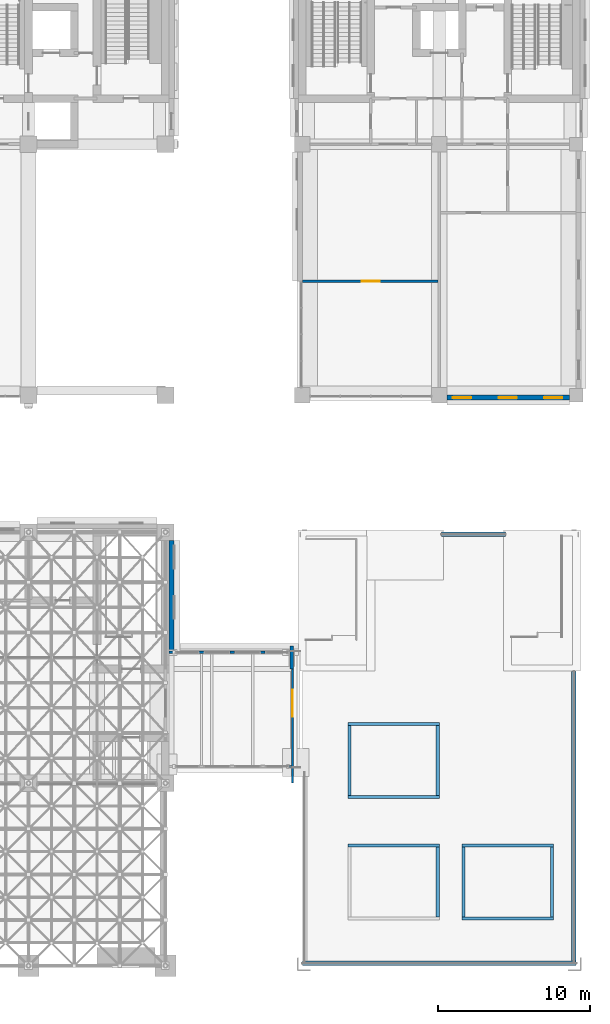
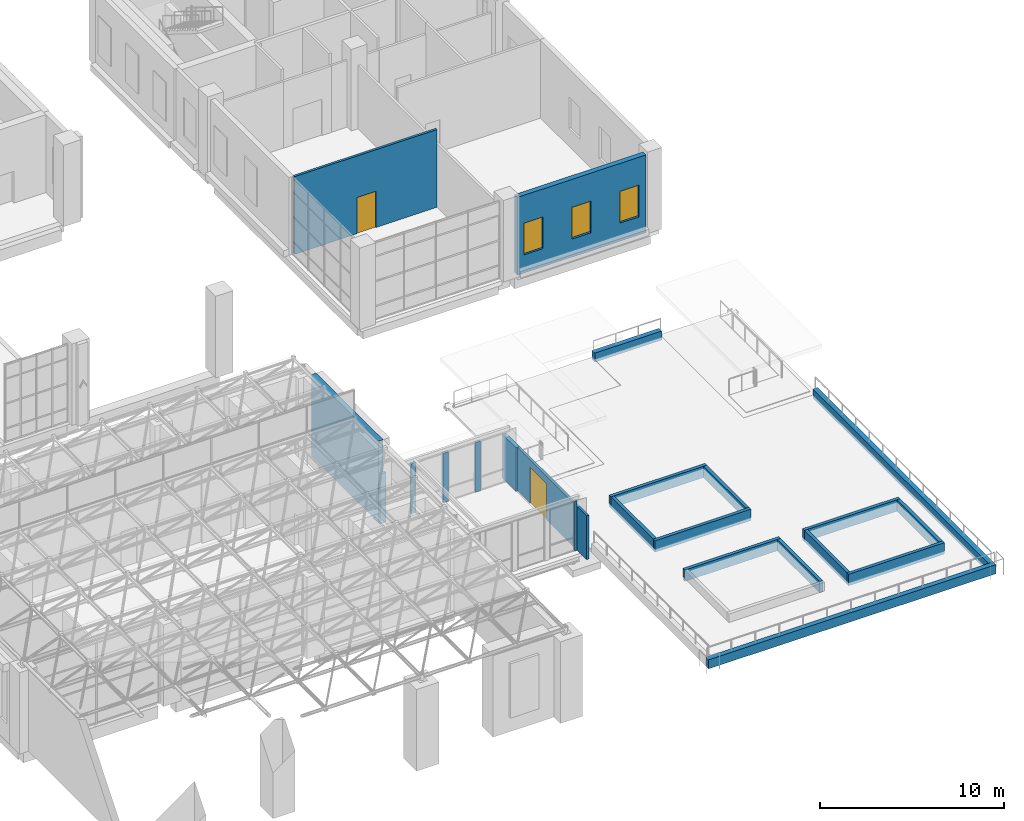
# One storey, part 33 of 53: 23 walls, 3 windows, 2 doors, 5 openings.
"""IFC4 building model written with IfcOpenShell, lengths in metres."""

from ifc_helpers import new_model, si_unit, direction, frame, frame_2d, origin, place, context, subcontext, project, spatial, rectangle, extrude, material, layer, layer_set, type_object, element, fill, save


model = new_model("IFC4")

# Units and contexts
model_context = context("Model", 3, precision=1e-05, world=origin(), true_north=direction((0.0, 1.0)))
body_context = subcontext(model_context, "Body", "Model", "MODEL_VIEW")
ifc_project = project(units=[si_unit("LENGTHUNIT", "METRE"), si_unit("AREAUNIT", "SQUARE_METRE"), si_unit("VOLUMEUNIT", "CUBIC_METRE"), si_unit("PLANEANGLEUNIT", "RADIAN"), si_unit("MASSUNIT", "GRAM", prefix="KILO")], contexts=[model_context])

# Site, building, storey
site_placement = place(None, origin())
site = spatial("IfcSite", under=ifc_project, at=site_placement, CompositionType="ELEMENT")
building_placement = place(site_placement, origin())
building = spatial("IfcBuilding", under=site, at=building_placement, Name="Aurelan Courthouse", CompositionType="ELEMENT")
storey_placement = place(building_placement, frame((0.0, 0.0, 12.0)))
storey = spatial("IfcBuildingStorey", under=building, at=storey_placement, Name="L02", CompositionType="ELEMENT", Elevation=12.0)

# Wall
ifc_material_1 = material(Name="Limestone cladding", Category="masonry")
ifc_layer_1 = layer(ifc_material_1, 0.0849609375, Name="Facing")
ifc_material_2 = material(Name="Ventilated cavity")
ifc_layer_2 = layer(ifc_material_2, 0.02490234375, ventilated=True, Name="Ventilated cavity")
ifc_material_3 = material(Name="Mineral wool insulation")
ifc_layer_3 = layer(ifc_material_3, 0.044921875, Name="Insulation")
ifc_material_4 = material(Name="Concrete C30", Category="concrete")
ifc_layer_4 = layer(ifc_material_4, 0.14501953125, Name="Structure")
ifc_layer_set_1 = layer_set([ifc_layer_1, ifc_layer_2, ifc_layer_3, ifc_layer_4], Name="Concrete C30")
wall_type_1 = type_object("IfcWallType", Name="Ceremonial Court stone-faced wall 300", PredefinedType="SOLIDWALL", material=ifc_layer_set_1)
wall_1_placement = place(storey_placement, frame((63.39990234375, 20.675048828125, 0.0), z_axis=(0.0, 0.0, 1.0), x_axis=(0.0, 1.0, 0.0)))
element("IfcWall", 1, at=wall_1_placement, inside=storey, type_object=wall_type_1, Name="Facade wall FW-V1-L02-004", PredefinedType="SOLIDWALL", context=body_context, shape_type="SweptSolid", body=[
    extrude(rectangle(XDim=7.27490234375, YDim=0.300048828125, at=frame_2d((3.637451171875, 0.0))), origin(), (0.0, 0.0, 1.0), 5.39990234375),
])

# Wall, opening, door
ifc_material_5 = material(Name="Gypsum board on metal studs")
ifc_layer_5 = layer(ifc_material_5, 0.14990234375)
ifc_layer_set_2 = layer_set([ifc_layer_5], Name="Gypsum board on metal studs")
wall_type_2 = type_object("IfcWallType", Name="Corridor partition 150 EI 60", PredefinedType="PARTITIONING", material=ifc_layer_set_2)
wall_2_placement = place(storey_placement, frame((71.35498046875, 12.0, 0.0), z_axis=(0.0, 0.0, 1.0), x_axis=(0.0, 1.0, 0.0)))
wall_2 = element("IfcWall", 2, at=wall_2_placement, inside=storey, type_object=wall_type_2, Name="Corridor partition L02-076", PredefinedType="PARTITIONING", context=body_context, shape_type="SweptSolid", body=[
    extrude(rectangle(XDim=7.5, YDim=0.14990234375, at=frame_2d((3.75, 0.0))), origin(), (0.0, 0.0, 1.0), 2.902099609375),
])
opening_1_placement = place(wall_2_placement, frame((6.150146484375, 0.0, 0.0), z_axis=(0.0, 0.0, 1.0), x_axis=(-1.0, 0.0, 0.0)))
opening_1 = element("IfcOpeningElement", 3, at=opening_1_placement, cuts=wall_2, Name="Opening D-L02-094", PredefinedType="OPENING", context=body_context, shape_type="SweptSolid", body=[
    extrude(rectangle(XDim=1.800048828125, YDim=2.39990234375, at=frame_2d((0.89990234375, 1.199951171875))), frame((0.0, 0.0849609375, 0.0), z_axis=(0.0, -1.0, 0.0), x_axis=(1.0, 0.0, 0.0)), (0.0, 0.0, 1.0), 0.169921875),
])
ifc_material_6 = material(Name="Steel", Category="steel")
door_type_1 = type_object("IfcDoorType", Name="Double door 1800 x 2400 FD60", OperationType="DOUBLE_DOOR_SINGLE_SWING", PredefinedType="DOOR", material=ifc_material_6)
door_1_placement = place(opening_1_placement, origin())
door_1 = element("IfcDoor", 4, at=door_1_placement, inside=storey, type_object=door_type_1, Name="Double door D-L02-094", OperationType="DOUBLE_DOOR_SINGLE_SWING", OverallHeight=2.39990234375, OverallWidth=1.800048828125, PredefinedType="DOOR", context=body_context, shape_type="SweptSolid", body=[
    extrude(rectangle(XDim=1.800048828125, YDim=2.39990234375, at=frame_2d((0.89990234375, 1.199951171875))), frame((0.0, 0.02490234375, 0.0), z_axis=(0.0, -1.0, 0.0), x_axis=(1.0, 0.0, 0.0)), (0.0, 0.0, 1.0), 0.050048828125),
])
fill(opening_1, door_1)

# Walls
ifc_layer_6 = layer(ifc_material_1, 0.300048828125)
ifc_layer_set_3 = layer_set([ifc_layer_6], Name="Limestone cladding")
wall_type_3 = type_object("IfcWallType", Name="Garden upstand 300 x 600", PredefinedType="PARAPET", material=ifc_layer_set_3)
wall_3_placement = place(storey_placement, frame((72.0, 0.14990234375, -0.197998046875), z_axis=(0.0, 0.0, 1.0), x_axis=(1.0, 0.0, 0.0)))
element("IfcWall", 5, at=wall_3_placement, inside=storey, type_object=wall_type_3, Name="Garden upstand RG-PA01", PredefinedType="PARAPET", context=body_context, shape_type="SweptSolid", body=[
    extrude(rectangle(XDim=18.0, YDim=0.300048828125, at=frame_2d((9.0, 0.0))), origin(), (0.0, 0.0, 1.0), 0.60009765625),
])
wall_4_placement = place(storey_placement, frame((81.14990234375, 28.35009765625, -0.197998046875), z_axis=(0.0, 0.0, 1.0), x_axis=(1.0, 0.0, 0.0)))
element("IfcWall", 6, at=wall_4_placement, inside=storey, type_object=wall_type_3, Name="Garden upstand RG-PA02", PredefinedType="PARAPET", context=body_context, shape_type="SweptSolid", body=[
    extrude(rectangle(XDim=4.2001953125, YDim=0.300048828125, at=frame_2d((2.10009765625, 0.0))), origin(), (0.0, 0.0, 1.0), 0.60009765625),
])
wall_5_placement = place(storey_placement, frame((89.85009765625, 0.300048828125, -0.197998046875), z_axis=(0.0, 0.0, 1.0), x_axis=(0.0, 1.0, 0.0)))
element("IfcWall", 7, at=wall_5_placement, inside=storey, type_object=wall_type_3, Name="Garden upstand RG-PA04", PredefinedType="PARAPET", context=body_context, shape_type="SweptSolid", body=[
    extrude(rectangle(XDim=19.050048828125, YDim=0.300048828125, at=frame_2d((9.52490234375, 0.0))), origin(), (0.0, 0.0, 1.0), 0.60009765625),
])

# Wall, openings, windows
ifc_layer_7 = layer(ifc_material_1, 0.090087890625, Name="Facing")
ifc_layer_8 = layer(ifc_material_2, 0.02490234375, ventilated=True, Name="Ventilated cavity")
ifc_layer_9 = layer(ifc_material_3, 0.044921875, Name="Insulation")
ifc_layer_10 = layer(ifc_material_4, 0.159912109375, Name="Structure")
ifc_layer_set_4 = layer_set([ifc_layer_7, ifc_layer_8, ifc_layer_9, ifc_layer_10], Name="Concrete C30")
wall_type_4 = type_object("IfcWallType", Name="Law Library stone-faced wall 320", PredefinedType="SOLIDWALL", material=ifc_layer_set_4)
wall_6_placement = place(storey_placement, frame((81.5, 37.340087890625, 0.0), z_axis=(0.0, 0.0, 1.0), x_axis=(1.0, 0.0, 0.0)))
wall_6 = element("IfcWall", 8, at=wall_6_placement, inside=storey, type_object=wall_type_4, Name="Facade wall FW-V3-L02-001", PredefinedType="SOLIDWALL", context=body_context, shape_type="SweptSolid", body=[
    extrude(rectangle(XDim=8.050048828125, YDim=0.320068359375, at=frame_2d((4.02490234375, 0.0))), origin(), (0.0, 0.0, 1.0), 5.14990234375),
])
opening_2_placement = place(wall_6_placement, frame((0.39990234375, 0.0, 1.199951171875)))
opening_2 = element("IfcOpeningElement", 9, at=opening_2_placement, cuts=wall_6, Name="Opening WN-V3-L02-001", PredefinedType="OPENING", context=body_context, shape_type="SweptSolid", body=[
    extrude(rectangle(XDim=1.199951171875, YDim=2.10009765625, at=frame_2d((0.60009765625, 1.050048828125))), frame((0.0, 0.169921875, 0.0), z_axis=(0.0, -1.0, 0.0), x_axis=(1.0, 0.0, 0.0)), (0.0, 0.0, 1.0), 0.340087890625),
])
opening_3_placement = place(wall_6_placement, frame((3.39990234375, 0.0, 1.199951171875)))
opening_3 = element("IfcOpeningElement", 10, at=opening_3_placement, cuts=wall_6, Name="Opening WN-V3-L02-002", PredefinedType="OPENING", context=body_context, shape_type="SweptSolid", body=[
    extrude(rectangle(XDim=1.199951171875, YDim=2.10009765625, at=frame_2d((0.60009765625, 1.050048828125))), frame((0.0, 0.169921875, 0.0), z_axis=(0.0, -1.0, 0.0), x_axis=(1.0, 0.0, 0.0)), (0.0, 0.0, 1.0), 0.340087890625),
])
opening_4_placement = place(wall_6_placement, frame((6.39990234375, 0.0, 1.199951171875)))
opening_4 = element("IfcOpeningElement", 11, at=opening_4_placement, cuts=wall_6, Name="Opening WN-V3-L02-003", PredefinedType="OPENING", context=body_context, shape_type="SweptSolid", body=[
    extrude(rectangle(XDim=1.199951171875, YDim=2.10009765625, at=frame_2d((0.60009765625, 1.050048828125))), frame((0.0, 0.169921875, 0.0), z_axis=(0.0, -1.0, 0.0), x_axis=(1.0, 0.0, 0.0)), (0.0, 0.0, 1.0), 0.340087890625),
])
ifc_material_7 = material(Name="Bronze-finished aluminium and glass", Category="aluminium")
window_type = type_object("IfcWindowType", Name="Law Library window 1200 x 2100, sill 1200", PartitioningType="SINGLE_PANEL", PredefinedType="WINDOW", material=ifc_material_7)
window_1_placement = place(opening_2_placement, origin())
window_1 = element("IfcWindow", 12, at=window_1_placement, inside=storey, type_object=window_type, Name="Window WN-V3-L02-001", OverallHeight=2.10009765625, OverallWidth=1.199951171875, PartitioningType="SINGLE_PANEL", PredefinedType="WINDOW", context=body_context, shape_type="SweptSolid", body=[
    extrude(rectangle(XDim=1.199951171875, YDim=2.10009765625, at=frame_2d((0.60009765625, 1.050048828125))), frame((0.0, 0.030029296875, 0.0), z_axis=(0.0, -1.0, 0.0), x_axis=(1.0, 0.0, 0.0)), (0.0, 0.0, 1.0), 0.06005859375),
])
fill(opening_2, window_1)
window_2_placement = place(opening_3_placement, origin())
window_2 = element("IfcWindow", 13, at=window_2_placement, inside=storey, type_object=window_type, Name="Window WN-V3-L02-002", OverallHeight=2.10009765625, OverallWidth=1.199951171875, PartitioningType="SINGLE_PANEL", PredefinedType="WINDOW", context=body_context, shape_type="SweptSolid", body=[
    extrude(rectangle(XDim=1.199951171875, YDim=2.10009765625, at=frame_2d((0.60009765625, 1.050048828125))), frame((0.0, 0.030029296875, 0.0), z_axis=(0.0, -1.0, 0.0), x_axis=(1.0, 0.0, 0.0)), (0.0, 0.0, 1.0), 0.06005859375),
])
fill(opening_3, window_2)
window_3_placement = place(opening_4_placement, origin())
window_3 = element("IfcWindow", 14, at=window_3_placement, inside=storey, type_object=window_type, Name="Window WN-V3-L02-003", OverallHeight=2.10009765625, OverallWidth=1.199951171875, PartitioningType="SINGLE_PANEL", PredefinedType="WINDOW", context=body_context, shape_type="SweptSolid", body=[
    extrude(rectangle(XDim=1.199951171875, YDim=2.10009765625, at=frame_2d((0.60009765625, 1.050048828125))), frame((0.0, 0.030029296875, 0.0), z_axis=(0.0, -1.0, 0.0), x_axis=(1.0, 0.0, 0.0)), (0.0, 0.0, 1.0), 0.06005859375),
])
fill(opening_4, window_3)

# Wall, opening, door
ifc_layer_11 = layer(ifc_material_5, 0.14990234375)
ifc_layer_set_5 = layer_set([ifc_layer_11], Name="Gypsum board on metal studs")
wall_type_5 = type_object("IfcWallType", Name="Partition 150 NOT RATED", PredefinedType="PARTITIONING", material=ifc_layer_set_5)
wall_7_placement = place(storey_placement, frame((72.0, 45.0, 0.0), z_axis=(0.0, 0.0, 1.0), x_axis=(1.0, 0.0, 0.0)))
wall_7 = element("IfcWall", 15, at=wall_7_placement, inside=storey, type_object=wall_type_5, Name="Partition L02-022", PredefinedType="PARTITIONING", context=body_context, shape_type="SweptSolid", body=[
    extrude(rectangle(XDim=8.925048828125, YDim=0.14990234375, at=frame_2d((4.46240234375, 0.0))), origin(), (0.0, 0.0, 1.0), 5.14990234375),
])
opening_5_placement = place(wall_7_placement, frame((3.89990234375, 0.0, 0.0)))
opening_5 = element("IfcOpeningElement", 16, at=opening_5_placement, cuts=wall_7, Name="Opening D-L02-043", PredefinedType="OPENING", context=body_context, shape_type="SweptSolid", body=[
    extrude(rectangle(XDim=1.199951171875, YDim=2.39990234375, at=frame_2d((0.60009765625, 1.199951171875))), frame((0.0, 0.0849609375, 0.0), z_axis=(0.0, -1.0, 0.0), x_axis=(1.0, 0.0, 0.0)), (0.0, 0.0, 1.0), 0.169921875),
])
ifc_material_8 = material(Name="Timber", Category="wood")
door_type_2 = type_object("IfcDoorType", Name="Single door 1200 x 2400 NOT RATED", OperationType="SINGLE_SWING_LEFT", PredefinedType="DOOR", material=ifc_material_8)
door_2_placement = place(opening_5_placement, origin())
door_2 = element("IfcDoor", 17, at=door_2_placement, inside=storey, type_object=door_type_2, Name="Single door D-L02-043", OperationType="SINGLE_SWING_RIGHT", OverallHeight=2.39990234375, OverallWidth=1.199951171875, PredefinedType="DOOR", context=body_context, shape_type="SweptSolid", body=[
    extrude(rectangle(XDim=1.199951171875, YDim=2.39990234375, at=frame_2d((0.60009765625, 1.199951171875))), frame((0.0, 0.02490234375, 0.0), z_axis=(0.0, -1.0, 0.0), x_axis=(1.0, 0.0, 0.0)), (0.0, 0.0, 1.0), 0.050048828125),
])
fill(opening_5, door_2)

# Walls
ifc_material_9 = material(Name="Concrete C40", Category="concrete")
ifc_layer_12 = layer(ifc_material_9, 0.14990234375)
ifc_layer_set_6 = layer_set([ifc_layer_12], Name="Concrete C40")
wall_type_6 = type_object("IfcWallType", Name="Passage end pier 150 x 150 x 3300", PredefinedType="SOLIDWALL", material=ifc_layer_set_6)
wall_8_placement = place(storey_placement, frame((71.1298828125, 13.10009765625, 0.0), z_axis=(0.0, 0.0, 1.0), x_axis=(1.0, 0.0, 0.0)))
element("IfcWall", 18, at=wall_8_placement, inside=storey, type_object=wall_type_6, Name="Passage pier BR2-P05", PredefinedType="SOLIDWALL", context=body_context, shape_type="SweptSolid", body=[
    extrude(rectangle(XDim=0.150146484375, YDim=0.14990234375, at=frame_2d((0.0751953125, 0.0))), origin(), (0.0, 0.0, 1.0), 3.300048828125),
])
ifc_layer_13 = layer(ifc_material_9, 0.14990234375)
ifc_layer_set_7 = layer_set([ifc_layer_13], Name="Concrete C40")
wall_type_7 = type_object("IfcWallType", Name="Passage end pier 150 x 400 x 3300", PredefinedType="SOLIDWALL", material=ifc_layer_set_7)
wall_9_placement = place(storey_placement, frame((63.25, 20.60009765625, 0.0), z_axis=(0.0, 0.0, 1.0), x_axis=(1.0, 0.0, 0.0)))
element("IfcWall", 19, at=wall_9_placement, inside=storey, type_object=wall_type_7, Name="Passage pier BR2-P06", PredefinedType="SOLIDWALL", context=body_context, shape_type="SweptSolid", body=[
    extrude(rectangle(XDim=0.39990234375, YDim=0.14990234375, at=frame_2d((0.199951171875, 0.0))), origin(), (0.0, 0.0, 1.0), 3.300048828125),
])
ifc_layer_14 = layer(ifc_material_9, 0.14990234375)
ifc_layer_set_8 = layer_set([ifc_layer_14], Name="Concrete C40")
wall_type_8 = type_object("IfcWallType", Name="Passage pier 150 x 300 x 3300", PredefinedType="SOLIDWALL", material=ifc_layer_set_8)
for number, where, z_axis, x_axis, name in (
    (20, (65.219970703125, 20.60009765625, 0.0), (0.0, 0.0, 1.0), (1.0, 0.0, 0.0), "Passage pier BR2-P07"),
    (21, (67.239990234375, 20.60009765625, 0.0), (0.0, 0.0, 1.0), (1.0, 0.0, 0.0), "Passage pier BR2-P08"),
    (22, (69.260009765625, 20.60009765625, 0.0), (0.0, 0.0, 1.0), (1.0, 0.0, 0.0), "Passage pier BR2-P09"),
):
    element("IfcWall", number, at=place(storey_placement, frame(where, z_axis=z_axis, x_axis=x_axis)), inside=storey, type_object=wall_type_8, Name=name, PredefinedType="SOLIDWALL", context=body_context, shape_type="SweptSolid", body=[
        extrude(rectangle(XDim=0.300048828125, YDim=0.14990234375, at=frame_2d((0.14990234375, 0.0))), origin(), (0.0, 0.0, 1.0), 3.300048828125),
    ])
ifc_layer_15 = layer(ifc_material_1, 0.199951171875)
ifc_layer_set_9 = layer_set([ifc_layer_15], Name="Limestone cladding")
wall_type_9 = type_object("IfcWallType", Name="Planter wall 200 x 600", PredefinedType="SOLIDWALL", material=ifc_layer_set_9)
wall_10_placement = place(storey_placement, frame((75.0, 7.89990234375, -0.197998046875), z_axis=(0.0, 0.0, 1.0), x_axis=(1.0, 0.0, 0.0)))
element("IfcWall", 23, at=wall_10_placement, inside=storey, type_object=wall_type_9, Name="Planter wall PL-1-N", PredefinedType="SOLIDWALL", context=body_context, shape_type="SweptSolid", body=[
    extrude(rectangle(XDim=6.0, YDim=0.199951171875, at=frame_2d((3.0, 0.0))), origin(), (0.0, 0.0, 1.0), 0.758056640625),
])
wall_11_placement = place(storey_placement, frame((80.89990234375, 3.199951171875, -0.197998046875), z_axis=(0.0, 0.0, 1.0), x_axis=(0.0, 1.0, 0.0)))
element("IfcWall", 24, at=wall_11_placement, inside=storey, type_object=wall_type_9, Name="Planter wall PL-1-E", PredefinedType="SOLIDWALL", context=body_context, shape_type="SweptSolid", body=[
    extrude(rectangle(XDim=4.60009765625, YDim=0.199951171875, at=frame_2d((2.300048828125, 0.0))), origin(), (0.0, 0.0, 1.0), 0.758056640625),
])
for number, where, z_axis, x_axis, name in (
    (25, (82.5, 3.10009765625, -0.197998046875), (0.0, 0.0, 1.0), (1.0, 0.0, 0.0), "Planter wall PL-2-S"),
    (26, (82.5, 7.89990234375, -0.197998046875), (0.0, 0.0, 1.0), (1.0, 0.0, 0.0), "Planter wall PL-2-N"),
):
    element("IfcWall", number, at=place(storey_placement, frame(where, z_axis=z_axis, x_axis=x_axis)), inside=storey, type_object=wall_type_9, Name=name, PredefinedType="SOLIDWALL", context=body_context, shape_type="SweptSolid", body=[
        extrude(rectangle(XDim=6.0, YDim=0.199951171875, at=frame_2d((3.0, 0.0))), origin(), (0.0, 0.0, 1.0), 0.758056640625),
    ])
for number, where, z_axis, x_axis, name in (
    (27, (82.60009765625, 3.199951171875, -0.197998046875), (0.0, 0.0, 1.0), (0.0, 1.0, 0.0), "Planter wall PL-2-W"),
    (28, (88.39990234375, 3.199951171875, -0.197998046875), (0.0, 0.0, 1.0), (0.0, 1.0, 0.0), "Planter wall PL-2-E"),
):
    element("IfcWall", number, at=place(storey_placement, frame(where, z_axis=z_axis, x_axis=x_axis)), inside=storey, type_object=wall_type_9, Name=name, PredefinedType="SOLIDWALL", context=body_context, shape_type="SweptSolid", body=[
        extrude(rectangle(XDim=4.60009765625, YDim=0.199951171875, at=frame_2d((2.300048828125, 0.0))), origin(), (0.0, 0.0, 1.0), 0.758056640625),
    ])
for number, where, z_axis, x_axis, name in (
    (29, (75.0, 11.10009765625, -0.197998046875), (0.0, 0.0, 1.0), (1.0, 0.0, 0.0), "Planter wall PL-3-S"),
    (30, (75.0, 15.89990234375, -0.197998046875), (0.0, 0.0, 1.0), (1.0, 0.0, 0.0), "Planter wall PL-3-N"),
):
    element("IfcWall", number, at=place(storey_placement, frame(where, z_axis=z_axis, x_axis=x_axis)), inside=storey, type_object=wall_type_9, Name=name, PredefinedType="SOLIDWALL", context=body_context, shape_type="SweptSolid", body=[
        extrude(rectangle(XDim=6.0, YDim=0.199951171875, at=frame_2d((3.0, 0.0))), origin(), (0.0, 0.0, 1.0), 0.758056640625),
    ])
for number, where, z_axis, x_axis, name in (
    (31, (75.10009765625, 11.199951171875, -0.197998046875), (0.0, 0.0, 1.0), (0.0, 1.0, 0.0), "Planter wall PL-3-W"),
    (32, (80.89990234375, 11.199951171875, -0.197998046875), (0.0, 0.0, 1.0), (0.0, 1.0, 0.0), "Planter wall PL-3-E"),
):
    element("IfcWall", number, at=place(storey_placement, frame(where, z_axis=z_axis, x_axis=x_axis)), inside=storey, type_object=wall_type_9, Name=name, PredefinedType="SOLIDWALL", context=body_context, shape_type="SweptSolid", body=[
        extrude(rectangle(XDim=4.60009765625, YDim=0.199951171875, at=frame_2d((2.300048828125, 0.0))), origin(), (0.0, 0.0, 1.0), 0.758056640625),
    ])
ifc_layer_16 = layer(ifc_material_4, 0.25)
ifc_layer_set_10 = layer_set([ifc_layer_16], Name="Concrete C30")
wall_type_10 = type_object("IfcWallType", Name="Stair enclosure wall 250 EI 120 load-bearing", PredefinedType="SHEAR", material=ifc_layer_set_10)
wall_12_placement = place(storey_placement, frame((71.304931640625, 19.5, 0.0), z_axis=(0.0, 0.0, 1.0), x_axis=(0.0, 1.0, 0.0)))
element("IfcWall", 33, at=wall_12_placement, inside=storey, type_object=wall_type_10, Name="Stair enclosure wall L02-075", PredefinedType="SHEAR", context=body_context, shape_type="SweptSolid", body=[
    extrude(rectangle(XDim=1.5, YDim=0.25, at=frame_2d((0.75, 0.0))), origin(), (0.0, 0.0, 1.0), 2.902099609375),
])

save(model, "model.ifc")
